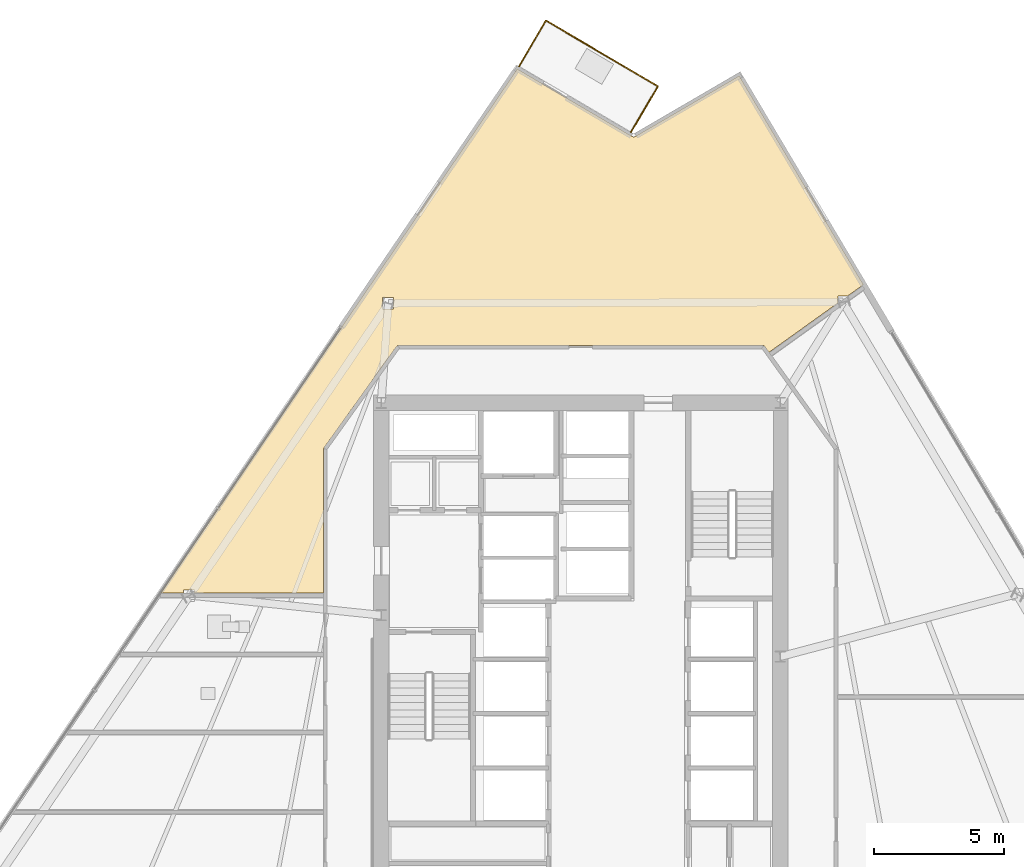
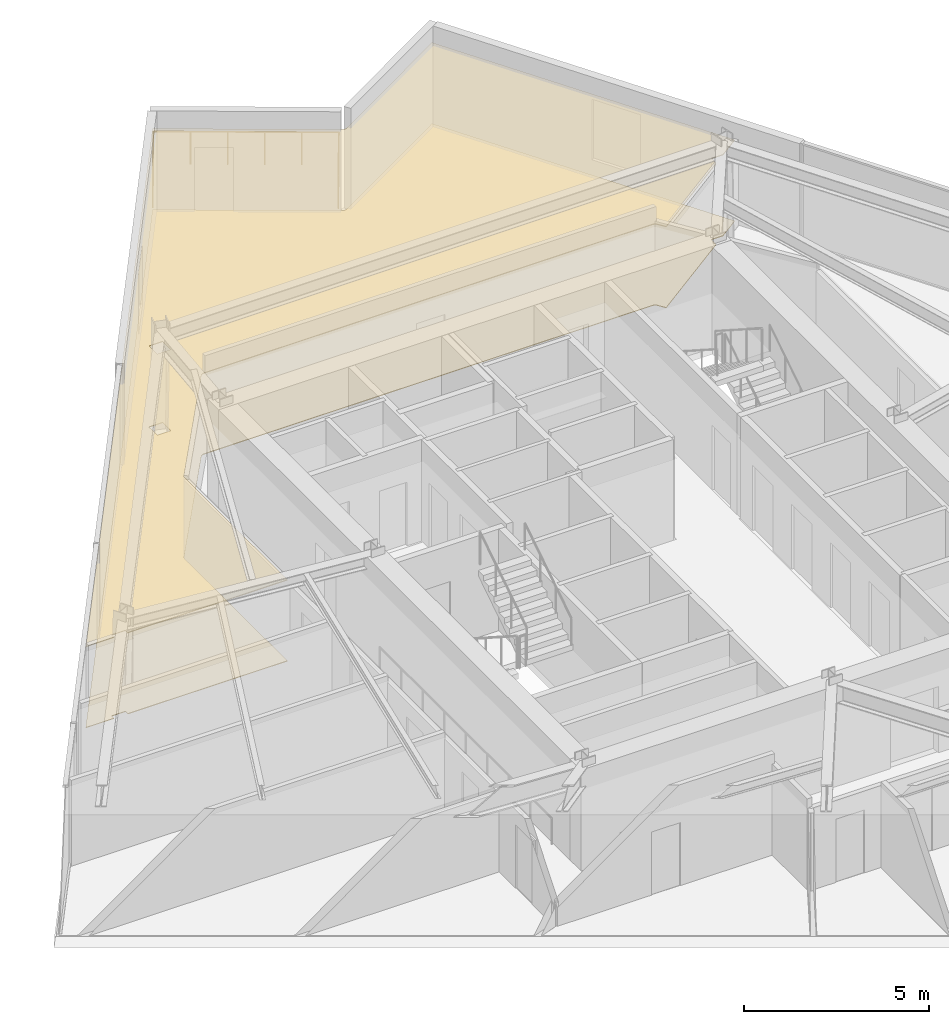
# One storey, part 14 of 15: 3 railings, 2 coverings.
"""IFC4 building model written with IfcOpenShell, lengths in metres."""

from ifc_helpers import new_model, si_unit, direction, frame, origin, origin_2d, place, context, subcontext, project, spatial, polyline, circle, outline, extrude, material, layer, layer_set, type_object, element, save


model = new_model("IFC4")

# Units and contexts
model_context = context("Model", 3, precision=1e-05, world=origin(), true_north=direction((0.0, 1.0)))
body_context = subcontext(model_context, "Body", "Model", "MODEL_VIEW")
ifc_project = project(units=[si_unit("LENGTHUNIT", "METRE"), si_unit("AREAUNIT", "SQUARE_METRE"), si_unit("VOLUMEUNIT", "CUBIC_METRE"), si_unit("PLANEANGLEUNIT", "RADIAN"), si_unit("MASSUNIT", "GRAM", prefix="KILO")], contexts=[model_context])

# Site, building, storey
site_placement = place(None, origin())
site = spatial("IfcSite", under=ifc_project, at=site_placement, CompositionType="ELEMENT")
building_placement = place(site_placement, origin())
building = spatial("IfcBuilding", under=site, at=building_placement, Name="Savorim Split Tower", CompositionType="ELEMENT")
storey_placement = place(building_placement, frame((0.0, 0.0, 89.699951171875)))
storey = spatial("IfcBuildingStorey", under=building, at=storey_placement, Name="L23", CompositionType="ELEMENT", Elevation=89.699951171875)

# Coverings
ifc_material_1 = material(Name="Mineral Fibre Acoustic Ceiling")
ifc_layer_1 = layer(ifc_material_1, 0.02490234375)
ifc_layer_set_1 = layer_set([ifc_layer_1], Name="COV-CEIL-25")
covering_type_1 = type_object("IfcCoveringType", Name="COV-CEIL-25", PredefinedType="CEILING", material=ifc_layer_set_1)
covering_1_placement = place(storey_placement, frame((0.0, 0.0, 2.670166015625)))
element("IfcCovering", 1, at=covering_1_placement, inside=storey, type_object=covering_type_1, Name="L23 Maker Workshop Acoustic Ceiling", PredefinedType="CEILING", context=body_context, shape_type="SweptSolid", body=[
    extrude(outline(polyline([(2.0068359375, 20.472412109375), (1.99609375, 20.476806640625), (1.986083984375, 20.482177734375), (-2.447265625, 23.087646484375), (-16.214599609375, 2.849853515625), (-15.330322265625, 2.849853515625), (-15.330322265625, 2.977294921875), (-14.9013671875, 2.977294921875), (-14.9013671875, 2.849853515625), (-9.919921875, 2.849853515625), (-9.919921875, 8.39990234375), (-9.919189453125, 8.41455078125), (-9.9169921875, 8.4287109375), (-9.913330078125, 8.44287109375), (-9.908203125, 8.456298828125), (-9.901611328125, 8.46923828125), (-9.893798828125, 8.4814453125), (-7.11376953125, 12.361572265625), (-7.105712890625, 12.3720703125), (-7.096435546875, 12.381591796875), (-7.086181640625, 12.39013671875), (-7.075439453125, 12.39794921875), (-7.06396484375, 12.404541015625), (-7.052001953125, 12.409912109375), (-7.039306640625, 12.414306640625), (-7.0263671875, 12.41748046875), (-7.01318359375, 12.41943359375), (-7.0, 12.419921875), (7.0, 12.419921875), (7.01318359375, 12.41943359375), (7.0263671875, 12.41748046875), (7.039306640625, 12.414306640625), (7.052001953125, 12.409912109375), (7.06396484375, 12.404541015625), (7.075439453125, 12.39794921875), (7.086181640625, 12.39013671875), (7.096435546875, 12.381591796875), (7.105712890625, 12.3720703125), (7.11376953125, 12.361572265625), (7.2685546875, 12.1455078125), (9.931396484375, 14.053466796875), (9.931396484375, 14.312744140625), (10.293212890625, 14.312744140625), (10.86767578125, 14.72412109375), (10.9150390625, 14.75830078125), (6.120849609375, 22.821044921875), (2.107177734375, 20.48193359375), (2.096923828125, 20.4765625), (2.086181640625, 20.472412109375), (2.0751953125, 20.468994140625), (2.06396484375, 20.466796875), (2.052490234375, 20.4658203125), (2.040771484375, 20.4658203125), (2.029296875, 20.466796875), (2.01806640625, 20.468994140625), (2.0068359375, 20.472412109375)]), holes=[polyline([(-7.22314453125, 14.263916015625), (-7.652099609375, 14.263916015625), (-7.652099609375, 13.81884765625), (-7.22314453125, 13.81884765625), (-7.22314453125, 14.263916015625)])]), origin(), (0.0, 0.0, 1.0), 0.02490234375),
])
ifc_material_2 = material(Name="Porcelain Stoneware Flooring", Category="masonry")
ifc_layer_2 = layer(ifc_material_2, 0.02001953125)
ifc_layer_set_2 = layer_set([ifc_layer_2], Name="COV-FLOR-20")
covering_type_2 = type_object("IfcCoveringType", Name="COV-FLOR-20", PredefinedType="FLOORING", material=ifc_layer_set_2)
covering_2_placement = place(storey_placement, origin())
element("IfcCovering", 2, at=covering_2_placement, inside=storey, type_object=covering_type_2, Name="L23 Maker Workshop Porcelain Flooring", PredefinedType="FLOORING", context=body_context, shape_type="SweptSolid", body=[
    extrude(outline(polyline([(2.0068359375, 20.472412109375), (1.99609375, 20.476806640625), (1.986083984375, 20.482177734375), (-2.447265625, 23.087646484375), (-16.214599609375, 2.849853515625), (-15.330322265625, 2.849853515625), (-15.330322265625, 2.977294921875), (-14.9013671875, 2.977294921875), (-14.9013671875, 2.849853515625), (-9.919921875, 2.849853515625), (-9.919921875, 8.39990234375), (-9.919189453125, 8.41455078125), (-9.9169921875, 8.4287109375), (-9.913330078125, 8.44287109375), (-9.908203125, 8.456298828125), (-9.901611328125, 8.46923828125), (-9.893798828125, 8.4814453125), (-7.11376953125, 12.361572265625), (-7.105712890625, 12.3720703125), (-7.096435546875, 12.381591796875), (-7.086181640625, 12.39013671875), (-7.075439453125, 12.39794921875), (-7.06396484375, 12.404541015625), (-7.052001953125, 12.409912109375), (-7.039306640625, 12.414306640625), (-7.0263671875, 12.41748046875), (-7.01318359375, 12.41943359375), (-7.0, 12.419921875), (7.0, 12.419921875), (7.01318359375, 12.41943359375), (7.0263671875, 12.41748046875), (7.039306640625, 12.414306640625), (7.052001953125, 12.409912109375), (7.06396484375, 12.404541015625), (7.075439453125, 12.39794921875), (7.086181640625, 12.39013671875), (7.096435546875, 12.381591796875), (7.105712890625, 12.3720703125), (7.11376953125, 12.361572265625), (7.2685546875, 12.1455078125), (9.931396484375, 14.053466796875), (9.931396484375, 14.312744140625), (10.293212890625, 14.312744140625), (10.86767578125, 14.72412109375), (10.9150390625, 14.75830078125), (6.120849609375, 22.821044921875), (2.107177734375, 20.48193359375), (2.096923828125, 20.4765625), (2.086181640625, 20.472412109375), (2.0751953125, 20.468994140625), (2.06396484375, 20.466796875), (2.052490234375, 20.4658203125), (2.040771484375, 20.4658203125), (2.029296875, 20.466796875), (2.01806640625, 20.468994140625), (2.0068359375, 20.472412109375)]), holes=[polyline([(-7.22314453125, 14.263916015625), (-7.652099609375, 14.263916015625), (-7.652099609375, 13.81884765625), (-7.22314453125, 13.81884765625), (-7.22314453125, 14.263916015625)])]), origin(), (0.0, 0.0, 1.0), 0.02001953125),
])

# Railings
ifc_material_3 = material(Name="Galvanised Painted Steel Balustrade", Category="steel")
railing_type = type_object("IfcRailingType", Name="RLG-BAL-1100", PredefinedType="BALUSTRADE", material=ifc_material_3)
railing_1_placement = place(storey_placement, frame((-2.3798828125, 23.187255859375, 0.0)))
element("IfcRailing", 3, at=railing_1_placement, inside=storey, type_object=railing_type, Name="L23 Tree Balcony Guardrail N-1", PredefinedType="BALUSTRADE", context=body_context, shape_type="SweptSolid", body=[
    extrude(circle(Radius=0.02392578125, at=origin_2d()), frame((0.0, 0.0, 1.076171875), z_axis=(0.506733850669, 0.862102548764, 0.0), x_axis=(-0.862102548764, 0.506733850669, 0.0)), (0.0, 0.0, 1.0), 2.050048828125),
    extrude(circle(Radius=0.02099609375, at=origin_2d()), origin(), (0.0, 0.0, 1.0), 1.052001953125),
    extrude(circle(Radius=0.02099609375, at=origin_2d()), frame((0.51953125, 0.8837890625, 0.0)), (0.0, 0.0, 1.0), 1.052001953125),
    extrude(circle(Radius=0.02099609375, at=origin_2d()), frame((1.038818359375, 1.767333984375, 0.0)), (0.0, 0.0, 1.0), 1.052001953125),
])
railing_2_placement = place(storey_placement, frame((-1.341064453125, 24.95458984375, 0.0)))
element("IfcRailing", 4, at=railing_2_placement, inside=storey, type_object=railing_type, Name="L23 Tree Balcony Guardrail N-2", PredefinedType="BALUSTRADE", context=body_context, shape_type="SweptSolid", body=[
    extrude(circle(Radius=0.02392578125, at=origin_2d()), frame((0.0, 0.0, 1.076171875), z_axis=(0.862123150864, -0.506698798839, 0.0), x_axis=(0.506698798839, 0.862123150864, 0.0)), (0.0, 0.0, 1.0), 5.014404296875),
    extrude(circle(Radius=0.02099609375, at=origin_2d()), origin(), (0.0, 0.0, 1.0), 1.052001953125),
    extrude(circle(Radius=0.02099609375, at=origin_2d()), frame((0.864501953125, -0.508056640625, 0.0)), (0.0, 0.0, 1.0), 1.052001953125),
    extrude(circle(Radius=0.02099609375, at=origin_2d()), frame((1.729248046875, -1.016357421875, 0.0)), (0.0, 0.0, 1.0), 1.052001953125),
    extrude(circle(Radius=0.02099609375, at=origin_2d()), frame((2.59375, -1.5244140625, 0.0)), (0.0, 0.0, 1.0), 1.052001953125),
    extrude(circle(Radius=0.02099609375, at=origin_2d()), frame((3.45849609375, -2.03271484375, 0.0)), (0.0, 0.0, 1.0), 1.052001953125),
    extrude(circle(Radius=0.02099609375, at=origin_2d()), frame((4.322998046875, -2.540771484375, 0.0)), (0.0, 0.0, 1.0), 1.052001953125),
])
railing_3_placement = place(storey_placement, frame((2.98193359375, 22.413818359375, 0.0)))
element("IfcRailing", 5, at=railing_3_placement, inside=storey, type_object=railing_type, Name="L23 Tree Balcony Guardrail N-3", PredefinedType="BALUSTRADE", context=body_context, shape_type="SweptSolid", body=[
    extrude(circle(Radius=0.02392578125, at=origin_2d()), frame((0.0, 0.0, 1.076171875), z_axis=(-0.50664533146, -0.862154573211, 0.0), x_axis=(0.862154573211, -0.50664533146, 0.0)), (0.0, 0.0, 1.0), 2.0498046875),
    extrude(circle(Radius=0.02099609375, at=origin_2d()), origin(), (0.0, 0.0, 1.0), 1.052001953125),
    extrude(circle(Radius=0.02099609375, at=origin_2d()), frame((-0.519287109375, -0.8837890625, 0.0)), (0.0, 0.0, 1.0), 1.052001953125),
    extrude(circle(Radius=0.02099609375, at=origin_2d()), frame((-1.03857421875, -1.767333984375, 0.0)), (0.0, 0.0, 1.0), 1.052001953125),
])

save(model, "model.ifc")
